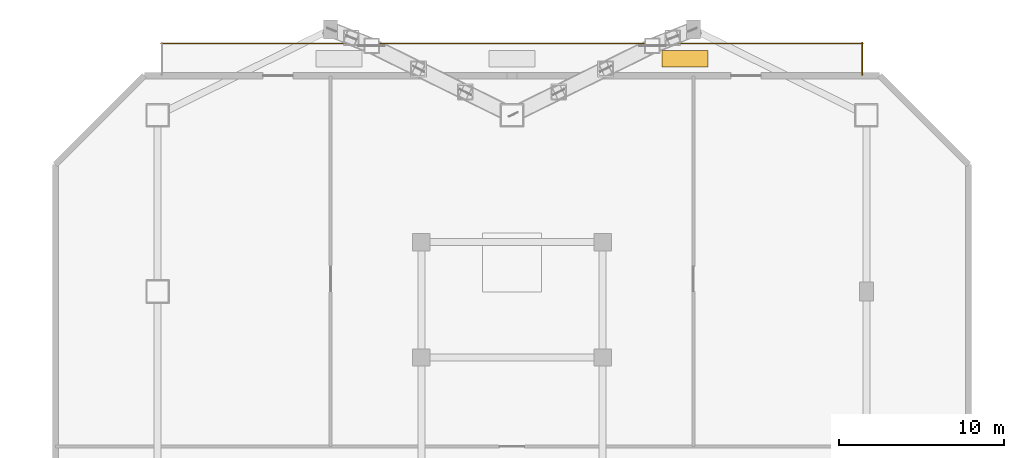
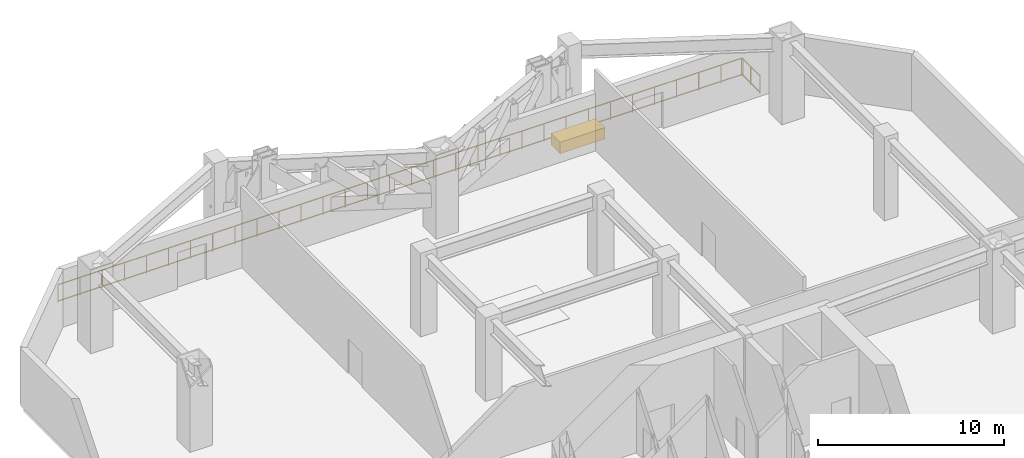
# One storey, part 9 of 9: 2 railings, 1 covering.
"""IFC4 building model written with IfcOpenShell, lengths in metres."""

from ifc_helpers import new_model, si_unit, direction, frame, origin, origin_2d, place, context, subcontext, project, spatial, rectangle, extrude, source, transform, mapped, material, layer, layer_set, type_object, type_shapes, element, save


model = new_model("IFC4")

# Units and contexts
model_context = context("Model", 3, precision=1e-05, world=origin(), true_north=direction((0.0, 1.0)))
body_context = subcontext(model_context, "Body", "Model", "MODEL_VIEW")
ifc_project = project(units=[si_unit("LENGTHUNIT", "METRE"), si_unit("AREAUNIT", "SQUARE_METRE"), si_unit("VOLUMEUNIT", "CUBIC_METRE"), si_unit("PLANEANGLEUNIT", "RADIAN"), si_unit("MASSUNIT", "GRAM", prefix="KILO")], contexts=[model_context])

# Site, building, storey
site_placement = place(None, origin())
site = spatial("IfcSite", under=ifc_project, at=site_placement, CompositionType="ELEMENT")
building_placement = place(site_placement, origin())
building = spatial("IfcBuilding", under=site, at=building_placement, Name="Varnakhor Terracotta Tower", CompositionType="ELEMENT")
storey_placement = place(building_placement, frame((0.0, 0.0, 22.0)))
storey = spatial("IfcBuildingStorey", under=building, at=storey_placement, Name="L04", CompositionType="ELEMENT", Elevation=22.0)

# Railings
ifc_material_1 = material(Name="Terracotta & Brushed Steel Balustrade", Category="masonry")
railing_type = type_object("IfcRailingType", Name="RLG-TERRACE-GUARD-1200", PredefinedType="BALUSTRADE", material=ifc_material_1)
railing_1_placement = place(storey_placement, frame((-21.300048828125, 43.550048828125, 0.0)))
element("IfcRailing", 1, at=railing_1_placement, inside=storey, type_object=railing_type, Name="L04 Terrace Stone Parapet Guard 1", PredefinedType="BALUSTRADE", context=body_context, shape_type="SweptSolid", body=[
    extrude(rectangle(XDim=0.048095703125, YDim=0.048095703125, at=origin_2d()), frame((0.0, 0.0, 1.17578125), z_axis=(1.0, 0.0, 0.0), x_axis=(0.0, 1.0, 0.0)), (0.0, 0.0, 1.0), 42.60009765625),
    extrude(rectangle(XDim=0.048095703125, YDim=0.048095703125, at=origin_2d()), frame((0.0, 0.0, 0.10009765625), z_axis=(1.0, 0.0, 0.0), x_axis=(0.0, 1.0, 0.0)), (0.0, 0.0, 1.0), 42.60009765625),
    extrude(rectangle(XDim=0.0419921875, YDim=0.0419921875, at=origin_2d()), origin(), (0.0, 0.0, 1.0), 1.15185546875),
    extrude(rectangle(XDim=0.0419921875, YDim=0.0419921875, at=origin_2d()), frame((1.374267578125, 0.0, 0.0)), (0.0, 0.0, 1.0), 1.15185546875),
    extrude(rectangle(XDim=0.0419921875, YDim=0.0419921875, at=origin_2d()), frame((2.748291015625, 0.0, 0.0)), (0.0, 0.0, 1.0), 1.15185546875),
    extrude(rectangle(XDim=0.0419921875, YDim=0.0419921875, at=origin_2d()), frame((4.12255859375, 0.0, 0.0)), (0.0, 0.0, 1.0), 1.15185546875),
    extrude(rectangle(XDim=0.0419921875, YDim=0.0419921875, at=origin_2d()), frame((5.496826171875, 0.0, 0.0)), (0.0, 0.0, 1.0), 1.15185546875),
    extrude(rectangle(XDim=0.0419921875, YDim=0.0419921875, at=origin_2d()), frame((6.87109375, 0.0, 0.0)), (0.0, 0.0, 1.0), 1.15185546875),
    extrude(rectangle(XDim=0.0419921875, YDim=0.0419921875, at=origin_2d()), frame((8.2451171875, 0.0, 0.0)), (0.0, 0.0, 1.0), 1.15185546875),
    extrude(rectangle(XDim=0.0419921875, YDim=0.0419921875, at=origin_2d()), frame((9.619384765625, 0.0, 0.0)), (0.0, 0.0, 1.0), 1.15185546875),
    extrude(rectangle(XDim=0.0419921875, YDim=0.0419921875, at=origin_2d()), frame((10.99365234375, 0.0, 0.0)), (0.0, 0.0, 1.0), 1.15185546875),
    extrude(rectangle(XDim=0.0419921875, YDim=0.0419921875, at=origin_2d()), frame((12.36767578125, 0.0, 0.0)), (0.0, 0.0, 1.0), 1.15185546875),
    extrude(rectangle(XDim=0.0419921875, YDim=0.0419921875, at=origin_2d()), frame((13.741943359375, 0.0, 0.0)), (0.0, 0.0, 1.0), 1.15185546875),
    extrude(rectangle(XDim=0.0419921875, YDim=0.0419921875, at=origin_2d()), frame((15.1162109375, 0.0, 0.0)), (0.0, 0.0, 1.0), 1.15185546875),
    extrude(rectangle(XDim=0.0419921875, YDim=0.0419921875, at=origin_2d()), frame((16.490478515625, 0.0, 0.0)), (0.0, 0.0, 1.0), 1.15185546875),
    extrude(rectangle(XDim=0.0419921875, YDim=0.0419921875, at=origin_2d()), frame((17.864501953125, 0.0, 0.0)), (0.0, 0.0, 1.0), 1.15185546875),
    extrude(rectangle(XDim=0.0419921875, YDim=0.0419921875, at=origin_2d()), frame((19.23876953125, 0.0, 0.0)), (0.0, 0.0, 1.0), 1.15185546875),
    extrude(rectangle(XDim=0.0419921875, YDim=0.0419921875, at=origin_2d()), frame((20.613037109375, 0.0, 0.0)), (0.0, 0.0, 1.0), 1.15185546875),
    extrude(rectangle(XDim=0.0419921875, YDim=0.0419921875, at=origin_2d()), frame((21.987060546875, 0.0, 0.0)), (0.0, 0.0, 1.0), 1.15185546875),
    extrude(rectangle(XDim=0.0419921875, YDim=0.0419921875, at=origin_2d()), frame((23.361328125, 0.0, 0.0)), (0.0, 0.0, 1.0), 1.15185546875),
    extrude(rectangle(XDim=0.0419921875, YDim=0.0419921875, at=origin_2d()), frame((24.735595703125, 0.0, 0.0)), (0.0, 0.0, 1.0), 1.15185546875),
    extrude(rectangle(XDim=0.0419921875, YDim=0.0419921875, at=origin_2d()), frame((26.109619140625, 0.0, 0.0)), (0.0, 0.0, 1.0), 1.15185546875),
    extrude(rectangle(XDim=0.0419921875, YDim=0.0419921875, at=origin_2d()), frame((27.48388671875, 0.0, 0.0)), (0.0, 0.0, 1.0), 1.15185546875),
    extrude(rectangle(XDim=0.0419921875, YDim=0.0419921875, at=origin_2d()), frame((28.858154296875, 0.0, 0.0)), (0.0, 0.0, 1.0), 1.15185546875),
    extrude(rectangle(XDim=0.0419921875, YDim=0.0419921875, at=origin_2d()), frame((30.232421875, 0.0, 0.0)), (0.0, 0.0, 1.0), 1.15185546875),
    extrude(rectangle(XDim=0.0419921875, YDim=0.0419921875, at=origin_2d()), frame((31.6064453125, 0.0, 0.0)), (0.0, 0.0, 1.0), 1.15185546875),
    extrude(rectangle(XDim=0.0419921875, YDim=0.0419921875, at=origin_2d()), frame((32.980712890625, 0.0, 0.0)), (0.0, 0.0, 1.0), 1.15185546875),
    extrude(rectangle(XDim=0.0419921875, YDim=0.0419921875, at=origin_2d()), frame((34.35498046875, 0.0, 0.0)), (0.0, 0.0, 1.0), 1.15185546875),
    extrude(rectangle(XDim=0.0419921875, YDim=0.0419921875, at=origin_2d()), frame((35.72900390625, 0.0, 0.0)), (0.0, 0.0, 1.0), 1.15185546875),
    extrude(rectangle(XDim=0.0419921875, YDim=0.0419921875, at=origin_2d()), frame((37.103271484375, 0.0, 0.0)), (0.0, 0.0, 1.0), 1.15185546875),
    extrude(rectangle(XDim=0.0419921875, YDim=0.0419921875, at=origin_2d()), frame((38.4775390625, 0.0, 0.0)), (0.0, 0.0, 1.0), 1.15185546875),
    extrude(rectangle(XDim=0.0419921875, YDim=0.0419921875, at=origin_2d()), frame((39.851806640625, 0.0, 0.0)), (0.0, 0.0, 1.0), 1.15185546875),
    extrude(rectangle(XDim=0.0419921875, YDim=0.0419921875, at=origin_2d()), frame((41.225830078125, 0.0, 0.0)), (0.0, 0.0, 1.0), 1.15185546875),
    extrude(rectangle(XDim=0.0419921875, YDim=0.0419921875, at=origin_2d()), frame((42.60009765625, 0.0, 0.0)), (0.0, 0.0, 1.0), 1.15185546875),
])
railing_2_placement = place(storey_placement, frame((21.25, 43.60009765625, 0.0)))
element("IfcRailing", 2, at=railing_2_placement, inside=storey, type_object=railing_type, Name="L04 Terrace Stone Parapet Guard 2", PredefinedType="BALUSTRADE", context=body_context, shape_type="SweptSolid", body=[
    extrude(rectangle(XDim=0.048095703125, YDim=0.048095703125, at=origin_2d()), frame((0.0, 0.0, 1.17578125), z_axis=(0.0, -1.0, 0.0), x_axis=(1.0, 0.0, 0.0)), (0.0, 0.0, 1.0), 1.960205078125),
    extrude(rectangle(XDim=0.048095703125, YDim=0.048095703125, at=origin_2d()), frame((0.0, 0.0, 0.10009765625), z_axis=(0.0, -1.0, 0.0), x_axis=(1.0, 0.0, 0.0)), (0.0, 0.0, 1.0), 1.960205078125),
    extrude(rectangle(XDim=0.0419921875, YDim=0.0419921875, at=origin_2d()), origin(), (0.0, 0.0, 1.0), 1.15185546875),
    extrude(rectangle(XDim=0.0419921875, YDim=0.0419921875, at=origin_2d()), frame((0.0, -0.97998046875, 0.0)), (0.0, 0.0, 1.0), 1.15185546875),
    extrude(rectangle(XDim=0.0419921875, YDim=0.0419921875, at=origin_2d()), frame((0.0, -1.960205078125, 0.0)), (0.0, 0.0, 1.0), 1.15185546875),
])

# Covering
ifc_material_2 = material(Name="Planted Terracotta Garden Substrate Bed", Category="masonry")
ifc_layer = layer(ifc_material_2, 0.449951171875, Name="Planted Terracotta Garden Substrate Bed")
ifc_layer_set = layer_set([ifc_layer], Name="Planted Terracotta Garden Substrate Bed")
covering_type = type_object("IfcCoveringType", Name="PLANTER TERRACOTTA BED", PredefinedType="USERDEFINED", material=ifc_layer_set)
shared_shape = source(origin(), body_context, "Body", "SweptSolid", [
    extrude(rectangle(XDim=2.800048828125, YDim=1.0, at=origin_2d()), origin(), (0.0, 0.0, 1.0), 0.75),
])
type_shapes(covering_type, [shared_shape])
covering_placement = place(storey_placement, frame((10.5, 42.6201171875, 0.0), z_axis=(0.0, 0.0, 1.0), x_axis=(1.0, 0.0, 0.0)))
element("IfcCovering", 3, at=covering_placement, inside=storey, type_object=covering_type, Name="L04 Terrace Landscaped Planter 3", ObjectType="PLANTER", PredefinedType="USERDEFINED", context=body_context, shape_type="MappedRepresentation", body=[
    mapped(shared_shape, transform((0.0, 0.0, 0.0), scale=1.0)),
])

save(model, "model.ifc")
